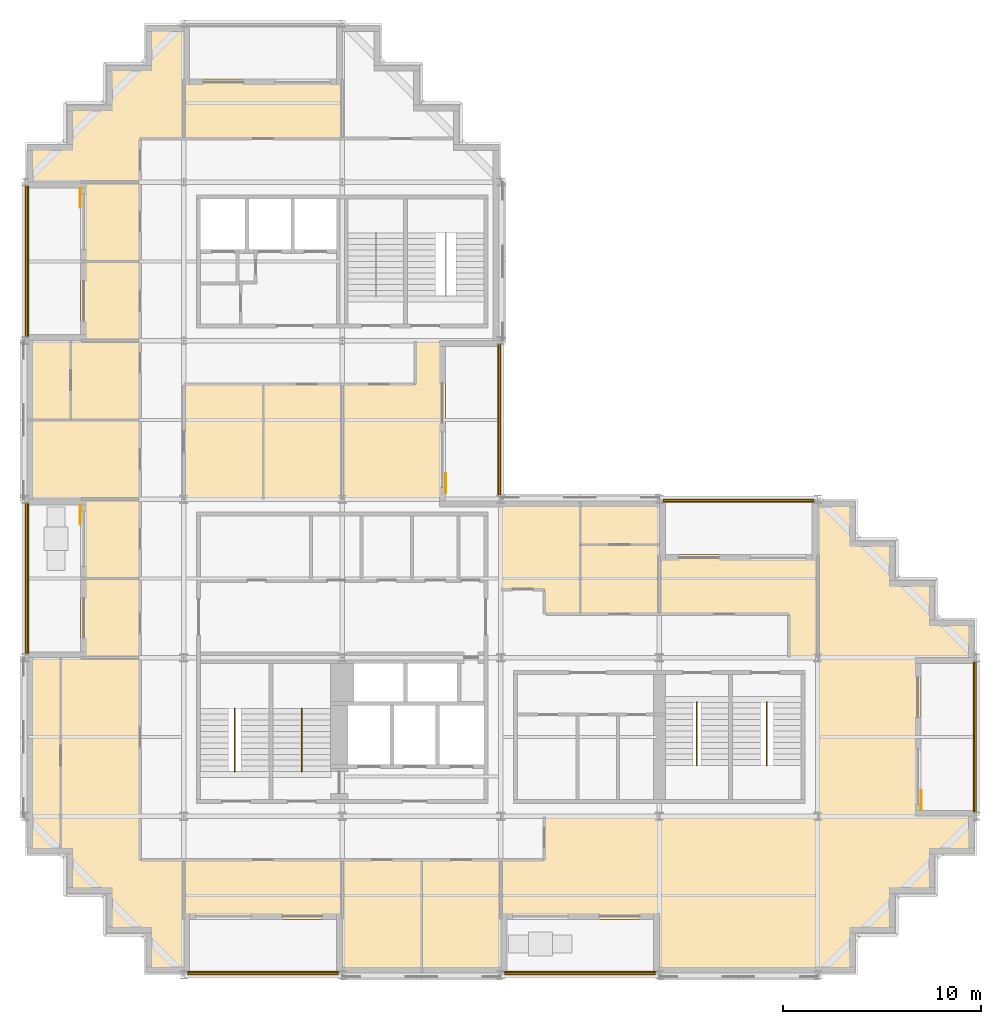
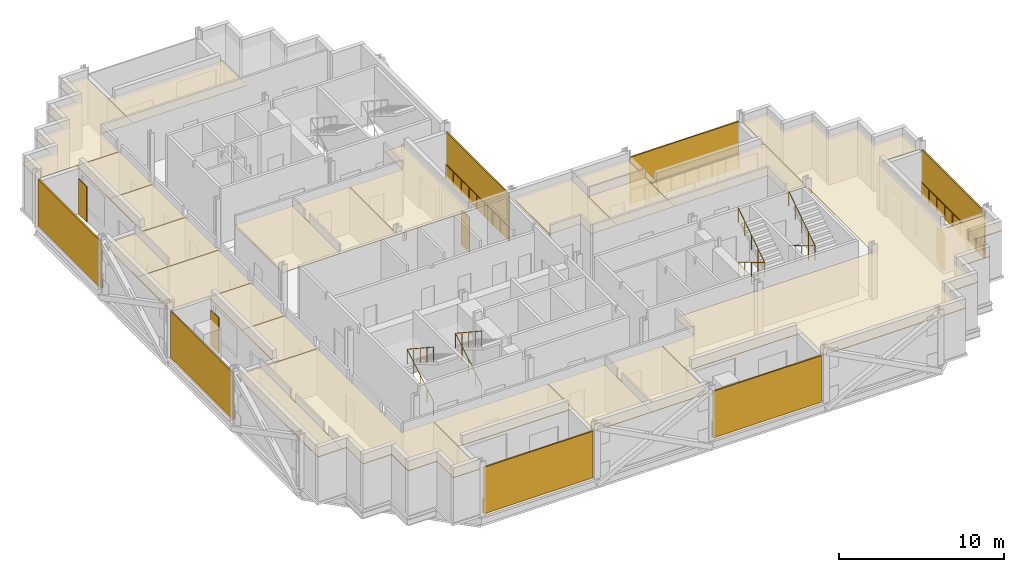
# One storey, part 11 of 13: 22 coverings, 11 railings, 11 shading devices.
"""IFC4 building model written with IfcOpenShell, lengths in metres."""

from ifc_helpers import new_model, si_unit, direction, frame, origin, origin_2d, place, context, subcontext, project, spatial, polyline, rectangle, circle, outline, extrude, material, layer, layer_set, type_object, element, save


model = new_model("IFC4")

# Units and contexts
model_context = context("Model", 3, precision=1e-05, world=origin(), true_north=direction((0.0, 1.0)))
body_context = subcontext(model_context, "Body", "Model", "MODEL_VIEW")
ifc_project = project(units=[si_unit("LENGTHUNIT", "METRE"), si_unit("AREAUNIT", "SQUARE_METRE"), si_unit("VOLUMEUNIT", "CUBIC_METRE"), si_unit("PLANEANGLEUNIT", "RADIAN"), si_unit("MASSUNIT", "GRAM", prefix="KILO")], contexts=[model_context])

# Site, building, storey
site_placement = place(None, origin())
site = spatial("IfcSite", under=ifc_project, at=site_placement, CompositionType="ELEMENT")
building_placement = place(site_placement, origin())
building = spatial("IfcBuilding", under=site, at=building_placement, Name="Immortelle Media Tower", CompositionType="ELEMENT")
storey_placement = place(building_placement, frame((0.0, 0.0, 170.39990234375)))
storey = spatial("IfcBuildingStorey", under=building, at=storey_placement, Name="L35", CompositionType="ELEMENT", Elevation=170.39990234375)

# Railings
ifc_material_1 = material(Name="Powder-coated aluminium fretwork panel, laminated glass backing", Category="aluminium")
railing_type_1 = type_object("IfcRailingType", Name="Fretwork balustrade 1100", PredefinedType="BALUSTRADE", material=ifc_material_1)
railing_1_placement = place(storey_placement, frame((8.202880859375, 0.139892578125, 0.0)))
element("IfcRailing", 1, at=railing_1_placement, inside=storey, type_object=railing_type_1, Name="Fretwork balustrade L35 S0", PredefinedType="BALUSTRADE", context=body_context, shape_type="SweptSolid", body=[
    extrude(circle(Radius=0.02490234375, at=origin_2d()), frame((0.0, 0.0, 1.0751953125), z_axis=(1.0, 0.0, 0.0), x_axis=(0.0, 1.0, 0.0)), (0.0, 0.0, 1.0), 7.591552734375),
    extrude(circle(Radius=0.02001953125, at=origin_2d()), origin(), (0.0, 0.0, 1.0), 1.050048828125),
    extrude(circle(Radius=0.02001953125, at=origin_2d()), frame((0.948974609375, 0.0, 0.0)), (0.0, 0.0, 1.0), 1.050048828125),
    extrude(circle(Radius=0.02001953125, at=origin_2d()), frame((1.89794921875, 0.0, 0.0)), (0.0, 0.0, 1.0), 1.050048828125),
    extrude(circle(Radius=0.02001953125, at=origin_2d()), frame((2.846923828125, 0.0, 0.0)), (0.0, 0.0, 1.0), 1.050048828125),
    extrude(circle(Radius=0.02001953125, at=origin_2d()), frame((3.7958984375, 0.0, 0.0)), (0.0, 0.0, 1.0), 1.050048828125),
    extrude(circle(Radius=0.02001953125, at=origin_2d()), frame((4.74462890625, 0.0, 0.0)), (0.0, 0.0, 1.0), 1.050048828125),
    extrude(circle(Radius=0.02001953125, at=origin_2d()), frame((5.693603515625, 0.0, 0.0)), (0.0, 0.0, 1.0), 1.050048828125),
    extrude(circle(Radius=0.02001953125, at=origin_2d()), frame((6.642578125, 0.0, 0.0)), (0.0, 0.0, 1.0), 1.050048828125),
    extrude(circle(Radius=0.02001953125, at=origin_2d()), frame((7.591552734375, 0.0, 0.0)), (0.0, 0.0, 1.0), 1.050048828125),
])
railing_2_placement = place(storey_placement, frame((24.20556640625, 0.139892578125, 0.0)))
element("IfcRailing", 2, at=railing_2_placement, inside=storey, type_object=railing_type_1, Name="Fretwork balustrade L35 S2", PredefinedType="BALUSTRADE", context=body_context, shape_type="SweptSolid", body=[
    extrude(circle(Radius=0.02490234375, at=origin_2d()), frame((0.0, 0.0, 1.0751953125), z_axis=(1.0, 0.0, 0.0), x_axis=(0.0, 1.0, 0.0)), (0.0, 0.0, 1.0), 7.5888671875),
    extrude(circle(Radius=0.02001953125, at=origin_2d()), origin(), (0.0, 0.0, 1.0), 1.050048828125),
    extrude(circle(Radius=0.02001953125, at=origin_2d()), frame((0.94873046875, 0.0, 0.0)), (0.0, 0.0, 1.0), 1.050048828125),
    extrude(circle(Radius=0.02001953125, at=origin_2d()), frame((1.897216796875, 0.0, 0.0)), (0.0, 0.0, 1.0), 1.050048828125),
    extrude(circle(Radius=0.02001953125, at=origin_2d()), frame((2.845703125, 0.0, 0.0)), (0.0, 0.0, 1.0), 1.050048828125),
    extrude(circle(Radius=0.02001953125, at=origin_2d()), frame((3.79443359375, 0.0, 0.0)), (0.0, 0.0, 1.0), 1.050048828125),
    extrude(circle(Radius=0.02001953125, at=origin_2d()), frame((4.7431640625, 0.0, 0.0)), (0.0, 0.0, 1.0), 1.050048828125),
    extrude(circle(Radius=0.02001953125, at=origin_2d()), frame((5.691650390625, 0.0, 0.0)), (0.0, 0.0, 1.0), 1.050048828125),
    extrude(circle(Radius=0.02001953125, at=origin_2d()), frame((6.64013671875, 0.0, 0.0)), (0.0, 0.0, 1.0), 1.050048828125),
    extrude(circle(Radius=0.02001953125, at=origin_2d()), frame((7.5888671875, 0.0, 0.0)), (0.0, 0.0, 1.0), 1.050048828125),
])
railing_3_placement = place(storey_placement, frame((47.860107421875, 8.20849609375, 0.0)))
element("IfcRailing", 3, at=railing_3_placement, inside=storey, type_object=railing_type_1, Name="Fretwork balustrade L35 E0", PredefinedType="BALUSTRADE", context=body_context, shape_type="SweptSolid", body=[
    extrude(circle(Radius=0.02490234375, at=origin_2d()), frame((0.0, 0.0, 1.0751953125), z_axis=(0.0, 1.0, 0.0), x_axis=(-1.0, 0.0, 0.0)), (0.0, 0.0, 1.0), 7.5830078125),
    extrude(circle(Radius=0.02001953125, at=origin_2d()), origin(), (0.0, 0.0, 1.0), 1.050048828125),
    extrude(circle(Radius=0.02001953125, at=origin_2d()), frame((0.0, 0.94775390625, 0.0)), (0.0, 0.0, 1.0), 1.050048828125),
    extrude(circle(Radius=0.02001953125, at=origin_2d()), frame((0.0, 1.895751953125, 0.0)), (0.0, 0.0, 1.0), 1.050048828125),
    extrude(circle(Radius=0.02001953125, at=origin_2d()), frame((0.0, 2.84375, 0.0)), (0.0, 0.0, 1.0), 1.050048828125),
    extrude(circle(Radius=0.02001953125, at=origin_2d()), frame((0.0, 3.79150390625, 0.0)), (0.0, 0.0, 1.0), 1.050048828125),
    extrude(circle(Radius=0.02001953125, at=origin_2d()), frame((0.0, 4.7392578125, 0.0)), (0.0, 0.0, 1.0), 1.050048828125),
    extrude(circle(Radius=0.02001953125, at=origin_2d()), frame((0.0, 5.687255859375, 0.0)), (0.0, 0.0, 1.0), 1.050048828125),
    extrude(circle(Radius=0.02001953125, at=origin_2d()), frame((0.0, 6.63525390625, 0.0)), (0.0, 0.0, 1.0), 1.050048828125),
    extrude(circle(Radius=0.02001953125, at=origin_2d()), frame((0.0, 7.5830078125, 0.0)), (0.0, 0.0, 1.0), 1.050048828125),
])
railing_4_placement = place(storey_placement, frame((39.797119140625, 23.860107421875, 0.0)))
element("IfcRailing", 4, at=railing_4_placement, inside=storey, type_object=railing_type_1, Name="Fretwork balustrade L35 N0", PredefinedType="BALUSTRADE", context=body_context, shape_type="SweptSolid", body=[
    extrude(circle(Radius=0.02490234375, at=origin_2d()), frame((0.0, 0.0, 1.0751953125), z_axis=(-1.0, 0.0, 0.0), x_axis=(0.0, -1.0, 0.0)), (0.0, 0.0, 1.0), 7.591552734375),
    extrude(circle(Radius=0.02001953125, at=origin_2d()), origin(), (0.0, 0.0, 1.0), 1.050048828125),
    extrude(circle(Radius=0.02001953125, at=origin_2d()), frame((-0.948974609375, 0.0, 0.0)), (0.0, 0.0, 1.0), 1.050048828125),
    extrude(circle(Radius=0.02001953125, at=origin_2d()), frame((-1.89794921875, 0.0, 0.0)), (0.0, 0.0, 1.0), 1.050048828125),
    extrude(circle(Radius=0.02001953125, at=origin_2d()), frame((-2.846923828125, 0.0, 0.0)), (0.0, 0.0, 1.0), 1.050048828125),
    extrude(circle(Radius=0.02001953125, at=origin_2d()), frame((-3.7958984375, 0.0, 0.0)), (0.0, 0.0, 1.0), 1.050048828125),
    extrude(circle(Radius=0.02001953125, at=origin_2d()), frame((-4.74462890625, 0.0, 0.0)), (0.0, 0.0, 1.0), 1.050048828125),
    extrude(circle(Radius=0.02001953125, at=origin_2d()), frame((-5.693603515625, 0.0, 0.0)), (0.0, 0.0, 1.0), 1.050048828125),
    extrude(circle(Radius=0.02001953125, at=origin_2d()), frame((-6.642578125, 0.0, 0.0)), (0.0, 0.0, 1.0), 1.050048828125),
    extrude(circle(Radius=0.02001953125, at=origin_2d()), frame((-7.591552734375, 0.0, 0.0)), (0.0, 0.0, 1.0), 1.050048828125),
])
railing_5_placement = place(storey_placement, frame((23.860107421875, 24.217041015625, 0.0)))
element("IfcRailing", 5, at=railing_5_placement, inside=storey, type_object=railing_type_1, Name="Fretwork balustrade L35 E0", PredefinedType="BALUSTRADE", context=body_context, shape_type="SweptSolid", body=[
    extrude(circle(Radius=0.02490234375, at=origin_2d()), frame((0.0, 0.0, 1.0751953125), z_axis=(0.0, 1.0, 0.0), x_axis=(-1.0, 0.0, 0.0)), (0.0, 0.0, 1.0), 7.58984375),
    extrude(circle(Radius=0.02001953125, at=origin_2d()), origin(), (0.0, 0.0, 1.0), 1.050048828125),
    extrude(circle(Radius=0.02001953125, at=origin_2d()), frame((0.0, 0.94873046875, 0.0)), (0.0, 0.0, 1.0), 1.050048828125),
    extrude(circle(Radius=0.02001953125, at=origin_2d()), frame((0.0, 1.8974609375, 0.0)), (0.0, 0.0, 1.0), 1.050048828125),
    extrude(circle(Radius=0.02001953125, at=origin_2d()), frame((0.0, 2.84619140625, 0.0)), (0.0, 0.0, 1.0), 1.050048828125),
    extrude(circle(Radius=0.02001953125, at=origin_2d()), frame((0.0, 3.794921875, 0.0)), (0.0, 0.0, 1.0), 1.050048828125),
    extrude(circle(Radius=0.02001953125, at=origin_2d()), frame((0.0, 4.74365234375, 0.0)), (0.0, 0.0, 1.0), 1.050048828125),
    extrude(circle(Radius=0.02001953125, at=origin_2d()), frame((0.0, 5.6923828125, 0.0)), (0.0, 0.0, 1.0), 1.050048828125),
    extrude(circle(Radius=0.02001953125, at=origin_2d()), frame((0.0, 6.64111328125, 0.0)), (0.0, 0.0, 1.0), 1.050048828125),
    extrude(circle(Radius=0.02001953125, at=origin_2d()), frame((0.0, 7.58984375, 0.0)), (0.0, 0.0, 1.0), 1.050048828125),
])
railing_6_placement = place(storey_placement, frame((0.139892578125, 39.81591796875, 0.0)))
element("IfcRailing", 6, at=railing_6_placement, inside=storey, type_object=railing_type_1, Name="Fretwork balustrade L35 W0", PredefinedType="BALUSTRADE", context=body_context, shape_type="SweptSolid", body=[
    extrude(circle(Radius=0.02490234375, at=origin_2d()), frame((0.0, 0.0, 1.0751953125), z_axis=(0.0, -1.0, 0.0), x_axis=(1.0, 0.0, 0.0)), (0.0, 0.0, 1.0), 7.622802734375),
    extrude(circle(Radius=0.02001953125, at=origin_2d()), origin(), (0.0, 0.0, 1.0), 1.050048828125),
    extrude(circle(Radius=0.02001953125, at=origin_2d()), frame((0.0, -0.952880859375, 0.0)), (0.0, 0.0, 1.0), 1.050048828125),
    extrude(circle(Radius=0.02001953125, at=origin_2d()), frame((0.0, -1.90576171875, 0.0)), (0.0, 0.0, 1.0), 1.050048828125),
    extrude(circle(Radius=0.02001953125, at=origin_2d()), frame((0.0, -2.858642578125, 0.0)), (0.0, 0.0, 1.0), 1.050048828125),
    extrude(circle(Radius=0.02001953125, at=origin_2d()), frame((0.0, -3.8115234375, 0.0)), (0.0, 0.0, 1.0), 1.050048828125),
    extrude(circle(Radius=0.02001953125, at=origin_2d()), frame((0.0, -4.76416015625, 0.0)), (0.0, 0.0, 1.0), 1.050048828125),
    extrude(circle(Radius=0.02001953125, at=origin_2d()), frame((0.0, -5.717041015625, 0.0)), (0.0, 0.0, 1.0), 1.050048828125),
    extrude(circle(Radius=0.02001953125, at=origin_2d()), frame((0.0, -6.669921875, 0.0)), (0.0, 0.0, 1.0), 1.050048828125),
    extrude(circle(Radius=0.02001953125, at=origin_2d()), frame((0.0, -7.622802734375, 0.0)), (0.0, 0.0, 1.0), 1.050048828125),
])
railing_7_placement = place(storey_placement, frame((0.139892578125, 23.806884765625, 0.0)))
element("IfcRailing", 7, at=railing_7_placement, inside=storey, type_object=railing_type_1, Name="Fretwork balustrade L35 W2", PredefinedType="BALUSTRADE", context=body_context, shape_type="SweptSolid", body=[
    extrude(circle(Radius=0.02490234375, at=origin_2d()), frame((0.0, 0.0, 1.0751953125), z_axis=(0.0, -1.0, 0.0), x_axis=(1.0, 0.0, 0.0)), (0.0, 0.0, 1.0), 7.58984375),
    extrude(circle(Radius=0.02001953125, at=origin_2d()), origin(), (0.0, 0.0, 1.0), 1.050048828125),
    extrude(circle(Radius=0.02001953125, at=origin_2d()), frame((0.0, -0.94873046875, 0.0)), (0.0, 0.0, 1.0), 1.050048828125),
    extrude(circle(Radius=0.02001953125, at=origin_2d()), frame((0.0, -1.8974609375, 0.0)), (0.0, 0.0, 1.0), 1.050048828125),
    extrude(circle(Radius=0.02001953125, at=origin_2d()), frame((0.0, -2.84619140625, 0.0)), (0.0, 0.0, 1.0), 1.050048828125),
    extrude(circle(Radius=0.02001953125, at=origin_2d()), frame((0.0, -3.794921875, 0.0)), (0.0, 0.0, 1.0), 1.050048828125),
    extrude(circle(Radius=0.02001953125, at=origin_2d()), frame((0.0, -4.74365234375, 0.0)), (0.0, 0.0, 1.0), 1.050048828125),
    extrude(circle(Radius=0.02001953125, at=origin_2d()), frame((0.0, -5.6923828125, 0.0)), (0.0, 0.0, 1.0), 1.050048828125),
    extrude(circle(Radius=0.02001953125, at=origin_2d()), frame((0.0, -6.64111328125, 0.0)), (0.0, 0.0, 1.0), 1.050048828125),
    extrude(circle(Radius=0.02001953125, at=origin_2d()), frame((0.0, -7.58984375, 0.0)), (0.0, 0.0, 1.0), 1.050048828125),
])

# Shading devices
ifc_material_2 = material(Name="Pale aluminium louvre blades", Category="aluminium")
ifc_layer_1 = layer(ifc_material_2, 0.10009765625)
ifc_layer_set_1 = layer_set([ifc_layer_1], Name="Pale aluminium louvre blades")
shading_device_type_1 = type_object("IfcShadingDeviceType", Name="Jalousie screen 100", PredefinedType="JALOUSIE", material=ifc_layer_set_1)
shading_device_1_placement = place(storey_placement, frame((11.998779296875, 0.050048828125, 0.0), z_axis=(0.0, 0.0, 1.0), x_axis=(1.0, 0.0, 0.0)))
element("IfcShadingDevice", 8, at=shading_device_1_placement, inside=storey, type_object=shading_device_type_1, Name="Jalousie screen L35 S0", PredefinedType="JALOUSIE", context=body_context, shape_type="SweptSolid", body=[
    extrude(rectangle(XDim=7.591552734375, YDim=0.10009765625, at=origin_2d()), origin(), (0.0, 0.0, 1.0), 3.43798828125),
])
shading_device_2_placement = place(storey_placement, frame((28.0, 0.050048828125, 0.0), z_axis=(0.0, 0.0, 1.0), x_axis=(1.0, 0.0, 0.0)))
element("IfcShadingDevice", 9, at=shading_device_2_placement, inside=storey, type_object=shading_device_type_1, Name="Jalousie screen L35 S2", PredefinedType="JALOUSIE", context=body_context, shape_type="SweptSolid", body=[
    extrude(rectangle(XDim=7.589111328125, YDim=0.10009765625, at=origin_2d()), origin(), (0.0, 0.0, 1.0), 3.43798828125),
])
shading_device_3_placement = place(storey_placement, frame((47.949951171875, 12.0, 0.0), z_axis=(0.0, 0.0, 1.0), x_axis=(0.0, 1.0, 0.0)))
element("IfcShadingDevice", 10, at=shading_device_3_placement, inside=storey, type_object=shading_device_type_1, Name="Jalousie screen L35 E0", PredefinedType="JALOUSIE", context=body_context, shape_type="SweptSolid", body=[
    extrude(rectangle(XDim=7.5830078125, YDim=0.10009765625, at=origin_2d()), origin(), (0.0, 0.0, 1.0), 3.43798828125),
])
shading_device_4_placement = place(storey_placement, frame((36.001220703125, 23.949951171875, 0.0), z_axis=(0.0, 0.0, 1.0), x_axis=(-1.0, 0.0, 0.0)))
element("IfcShadingDevice", 11, at=shading_device_4_placement, inside=storey, type_object=shading_device_type_1, Name="Jalousie screen L35 N0", PredefinedType="JALOUSIE", context=body_context, shape_type="SweptSolid", body=[
    extrude(rectangle(XDim=7.591552734375, YDim=0.10009765625, at=origin_2d()), origin(), (0.0, 0.0, 1.0), 3.43798828125),
])
shading_device_5_placement = place(storey_placement, frame((23.949951171875, 28.011962890625, 0.0), z_axis=(0.0, 0.0, 1.0), x_axis=(0.0, 1.0, 0.0)))
element("IfcShadingDevice", 12, at=shading_device_5_placement, inside=storey, type_object=shading_device_type_1, Name="Jalousie screen L35 E0", PredefinedType="JALOUSIE", context=body_context, shape_type="SweptSolid", body=[
    extrude(rectangle(XDim=7.590087890625, YDim=0.10009765625, at=origin_2d()), origin(), (0.0, 0.0, 1.0), 3.43798828125),
])
shading_device_6_placement = place(storey_placement, frame((0.050048828125, 36.00439453125, 0.0), z_axis=(0.0, 0.0, 1.0), x_axis=(0.0, -1.0, 0.0)))
element("IfcShadingDevice", 13, at=shading_device_6_placement, inside=storey, type_object=shading_device_type_1, Name="Jalousie screen L35 W0", PredefinedType="JALOUSIE", context=body_context, shape_type="SweptSolid", body=[
    extrude(rectangle(XDim=7.623046875, YDim=0.10009765625, at=origin_2d()), origin(), (0.0, 0.0, 1.0), 3.43798828125),
])
shading_device_7_placement = place(storey_placement, frame((0.050048828125, 20.011962890625, 0.0), z_axis=(0.0, 0.0, 1.0), x_axis=(0.0, -1.0, 0.0)))
element("IfcShadingDevice", 14, at=shading_device_7_placement, inside=storey, type_object=shading_device_type_1, Name="Jalousie screen L35 W2", PredefinedType="JALOUSIE", context=body_context, shape_type="SweptSolid", body=[
    extrude(rectangle(XDim=7.590087890625, YDim=0.10009765625, at=origin_2d()), origin(), (0.0, 0.0, 1.0), 3.43798828125),
])
ifc_material_3 = material(Name="Pale aluminium louvre blades in a folding frame", Category="aluminium")
ifc_layer_2 = layer(ifc_material_3, 0.050048828125)
ifc_layer_set_2 = layer_set([ifc_layer_2], Name="Pale aluminium louvre blades in a folding frame")
shading_device_type_2 = type_object("IfcShadingDeviceType", Name="Louvred loggia shutter", PredefinedType="SHUTTER", material=ifc_layer_set_2)
for number, where, z_axis, x_axis, name in (
    (15, (45.22509765625, 8.800048828125, 0.0), (0.0, 0.0, 1.0), (0.0, 1.0, 0.0), "Loggia shutter L35 E0"),
    (16, (21.22509765625, 24.800048828125, 0.0), (0.0, 0.0, 1.0), (0.0, 1.0, 0.0), "Loggia shutter L35 E0"),
    (17, (2.77490234375, 39.199951171875, 0.0), (0.0, 0.0, 1.0), (0.0, -1.0, 0.0), "Loggia shutter L35 W0"),
    (18, (2.77490234375, 23.199951171875, 0.0), (0.0, 0.0, 1.0), (0.0, -1.0, 0.0), "Loggia shutter L35 W2"),
):
    element("IfcShadingDevice", number, at=place(storey_placement, frame(where, z_axis=z_axis, x_axis=x_axis)), inside=storey, type_object=shading_device_type_2, Name=name, PredefinedType="SHUTTER", context=body_context, shape_type="SweptSolid", body=[
        extrude(rectangle(XDim=1.0, YDim=0.050048828125, at=origin_2d()), origin(), (0.0, 0.0, 1.0), 2.60009765625),
    ])

# Railings
ifc_material_4 = material(Name="Stainless steel AISI 316", Category="steel")
railing_type_2 = type_object("IfcRailingType", Name="Stair guard 1100", PredefinedType="GUARDRAIL", material=ifc_material_4)
for number, where, name in (
    (19, (10.574951171875, 10.25, 0.175048828125), "Stair guard SW1"),
    (20, (13.949951171875, 10.25, 0.175048828125), "Stair guard SW2"),
):
    element("IfcRailing", number, at=place(storey_placement, frame(where)), inside=storey, type_object=railing_type_2, Name=name, PredefinedType="GUARDRAIL", context=body_context, shape_type="SweptSolid", body=[
        extrude(circle(Radius=0.02392578125, at=origin_2d()), frame((0.0, 0.0, 1.076171875), z_axis=(0.0, 0.856177665481, 0.516681531633), x_axis=(-1.0, 0.0, 0.0)), (0.0, 0.0, 1.0), 3.725830078125),
        extrude(circle(Radius=0.02392578125, at=origin_2d()), frame((0.0, 3.18994140625, 3.0009765625), z_axis=(0.0, -0.835242474824, 0.549881812983), x_axis=(1.0, 0.0, 0.0)), (0.0, 0.0, 1.0), 3.819091796875),
        extrude(circle(Radius=0.02099609375, at=origin_2d()), origin(), (0.0, 0.0, 1.0), 1.052001953125),
        extrude(circle(Radius=0.02099609375, at=origin_2d()), frame((0.0, 0.79736328125, 0.481201171875)), (0.0, 0.0, 1.0), 1.052001953125),
        extrude(circle(Radius=0.02099609375, at=origin_2d()), frame((0.0, 1.594970703125, 0.96240234375)), (0.0, 0.0, 1.0), 1.052001953125),
        extrude(circle(Radius=0.02099609375, at=origin_2d()), frame((0.0, 2.392578125, 1.44384765625)), (0.0, 0.0, 1.0), 1.052001953125),
        extrude(circle(Radius=0.02099609375, at=origin_2d()), frame((0.0, 3.18994140625, 1.925048828125)), (0.0, 0.0, 1.0), 1.052001953125),
        extrude(circle(Radius=0.02099609375, at=origin_2d()), frame((0.0, 2.392578125, 2.4501953125)), (0.0, 0.0, 1.0), 1.052001953125),
        extrude(circle(Radius=0.02099609375, at=origin_2d()), frame((0.0, 1.594970703125, 2.97509765625)), (0.0, 0.0, 1.0), 1.052001953125),
        extrude(circle(Radius=0.02099609375, at=origin_2d()), frame((0.0, 0.79736328125, 3.5)), (0.0, 0.0, 1.0), 1.052001953125),
        extrude(circle(Radius=0.02099609375, at=origin_2d()), frame((0.0, 0.0, 4.025146484375)), (0.0, 0.0, 1.0), 1.052001953125),
    ])
for number, where, name in (
    (21, (33.89990234375, 13.75, 0.175048828125), "Stair guard SE1"),
    (22, (37.425048828125, 13.75, 0.175048828125), "Stair guard SE2"),
):
    element("IfcRailing", number, at=place(storey_placement, frame(where)), inside=storey, type_object=railing_type_2, Name=name, PredefinedType="GUARDRAIL", context=body_context, shape_type="SweptSolid", body=[
        extrude(circle(Radius=0.02392578125, at=origin_2d()), frame((0.0, 0.0, 1.076171875), z_axis=(0.0, -0.856177665481, 0.516681531633), x_axis=(1.0, 0.0, 0.0)), (0.0, 0.0, 1.0), 3.725830078125),
        extrude(circle(Radius=0.02392578125, at=origin_2d()), frame((0.0, -3.18994140625, 3.0009765625), z_axis=(0.0, 0.835242474824, 0.549881812983), x_axis=(-1.0, 0.0, 0.0)), (0.0, 0.0, 1.0), 3.819091796875),
        extrude(circle(Radius=0.02099609375, at=origin_2d()), origin(), (0.0, 0.0, 1.0), 1.052001953125),
        extrude(circle(Radius=0.02099609375, at=origin_2d()), frame((0.0, -0.79736328125, 0.481201171875)), (0.0, 0.0, 1.0), 1.052001953125),
        extrude(circle(Radius=0.02099609375, at=origin_2d()), frame((0.0, -1.594970703125, 0.96240234375)), (0.0, 0.0, 1.0), 1.052001953125),
        extrude(circle(Radius=0.02099609375, at=origin_2d()), frame((0.0, -2.392578125, 1.44384765625)), (0.0, 0.0, 1.0), 1.052001953125),
        extrude(circle(Radius=0.02099609375, at=origin_2d()), frame((0.0, -3.18994140625, 1.925048828125)), (0.0, 0.0, 1.0), 1.052001953125),
        extrude(circle(Radius=0.02099609375, at=origin_2d()), frame((0.0, -2.392578125, 2.4501953125)), (0.0, 0.0, 1.0), 1.052001953125),
        extrude(circle(Radius=0.02099609375, at=origin_2d()), frame((0.0, -1.594970703125, 2.97509765625)), (0.0, 0.0, 1.0), 1.052001953125),
        extrude(circle(Radius=0.02099609375, at=origin_2d()), frame((0.0, -0.79736328125, 3.5)), (0.0, 0.0, 1.0), 1.052001953125),
        extrude(circle(Radius=0.02099609375, at=origin_2d()), frame((0.0, 0.0, 4.025146484375)), (0.0, 0.0, 1.0), 1.052001953125),
    ])

# Coverings
ifc_material_5 = material(Name="Mineral fibre tile ceiling")
ifc_layer_3 = layer(ifc_material_5, 0.050048828125)
ifc_layer_set_3 = layer_set([ifc_layer_3], Name="Mineral fibre tile ceiling")
covering_type = type_object("IfcCoveringType", Name="Suspended ceiling 50", PredefinedType="CEILING", material=ifc_layer_set_3)
covering_1_placement = place(storey_placement, frame((0.0, 0.0, 3.30419921875)))
element("IfcCovering", 23, at=covering_1_placement, inside=storey, type_object=covering_type, Name="Ceiling L35-001", PredefinedType="CEILING", context=body_context, shape_type="SweptSolid", body=[
    extrude(outline(polyline([(16.0, 2.800048828125), (16.0, 5.800048828125), (20.0, 5.800048828125), (20.0, 0.10009765625), (16.0, 0.10009765625), (16.0, 2.800048828125)])), origin(), (0.0, 0.0, 1.0), 0.0498046875),
])
covering_2_placement = place(storey_placement, frame((0.0, 0.0, 3.30419921875)))
element("IfcCovering", 24, at=covering_2_placement, inside=storey, type_object=covering_type, Name="Ceiling L35-002", PredefinedType="CEILING", context=body_context, shape_type="SweptSolid", body=[
    extrude(outline(polyline([(24.0, 5.800048828125), (24.0, 2.800048828125), (24.0, 0.10009765625), (20.0, 0.10009765625), (20.0, 5.800048828125), (24.0, 5.800048828125)])), origin(), (0.0, 0.0, 1.0), 0.0498046875),
])
covering_3_placement = place(storey_placement, frame((0.0, 0.0, 3.30419921875)))
element("IfcCovering", 25, at=covering_3_placement, inside=storey, type_object=covering_type, Name="Ceiling L35-003", PredefinedType="CEILING", context=body_context, shape_type="SweptSolid", body=[
    extrude(outline(polyline([(8.0, 2.800048828125), (8.0, 5.800048828125), (16.0, 5.800048828125), (16.0, 2.800048828125), (8.0, 2.800048828125)])), origin(), (0.0, 0.0, 1.0), 0.0498046875),
])
covering_4_placement = place(storey_placement, frame((0.0, 0.0, 3.30419921875)))
element("IfcCovering", 26, at=covering_4_placement, inside=storey, type_object=covering_type, Name="Ceiling L35-004", PredefinedType="CEILING", context=body_context, shape_type="SweptSolid", body=[
    extrude(outline(polyline([(26.199951171875, 5.800048828125), (26.199951171875, 8.0), (32.0, 8.0), (40.0, 8.0), (40.0, 16.0), (40.0, 21.199951171875), (40.0, 23.89990234375), (41.89990234375, 23.89990234375), (41.89990234375, 21.89990234375), (43.89990234375, 21.89990234375), (43.89990234375, 19.89990234375), (45.89990234375, 19.89990234375), (45.89990234375, 17.89990234375), (47.89990234375, 17.89990234375), (47.89990234375, 16.0), (45.199951171875, 16.0), (45.199951171875, 8.0), (47.89990234375, 8.0), (47.89990234375, 6.10009765625), (45.89990234375, 6.10009765625), (45.89990234375, 4.10009765625), (43.89990234375, 4.10009765625), (43.89990234375, 2.10009765625), (41.89990234375, 2.10009765625), (41.89990234375, 0.10009765625), (40.0, 0.10009765625), (32.0, 0.10009765625), (32.0, 2.800048828125), (24.0, 2.800048828125), (24.0, 5.800048828125), (26.199951171875, 5.800048828125)])), origin(), (0.0, 0.0, 1.0), 0.0498046875),
])
covering_5_placement = place(storey_placement, frame((0.0, 0.0, 3.30419921875)))
element("IfcCovering", 27, at=covering_5_placement, inside=storey, type_object=covering_type, Name="Ceiling L35-005", PredefinedType="CEILING", context=body_context, shape_type="SweptSolid", body=[
    extrude(outline(polyline([(4.10009765625, 4.10009765625), (2.10009765625, 4.10009765625), (2.10009765625, 6.10009765625), (1.800048828125, 6.10009765625), (1.800048828125, 16.0), (2.800048828125, 16.0), (5.800048828125, 16.0), (5.800048828125, 8.0), (5.800048828125, 5.800048828125), (8.0, 5.800048828125), (8.0, 4.0), (8.0, 2.800048828125), (8.0, 0.10009765625), (6.10009765625, 0.10009765625), (6.10009765625, 2.10009765625), (4.10009765625, 2.10009765625), (4.10009765625, 4.0), (4.10009765625, 4.10009765625)])), origin(), (0.0, 0.0, 1.0), 0.0498046875),
])
covering_6_placement = place(storey_placement, frame((0.0, 0.0, 3.30419921875)))
element("IfcCovering", 28, at=covering_6_placement, inside=storey, type_object=covering_type, Name="Ceiling L35-006", PredefinedType="CEILING", context=body_context, shape_type="SweptSolid", body=[
    extrude(outline(polyline([(0.10009765625, 6.10009765625), (0.10009765625, 8.0), (0.10009765625, 16.0), (1.800048828125, 16.0), (1.800048828125, 6.10009765625), (0.10009765625, 6.10009765625)])), origin(), (0.0, 0.0, 1.0), 0.0498046875),
])
covering_7_placement = place(storey_placement, frame((0.0, 0.0, 3.30419921875)))
element("IfcCovering", 29, at=covering_7_placement, inside=storey, type_object=covering_type, Name="Ceiling L35-007", PredefinedType="CEILING", context=body_context, shape_type="SweptSolid", body=[
    extrude(outline(polyline([(38.550048828125, 16.0), (38.550048828125, 18.199951171875), (32.0, 18.199951171875), (32.0, 21.199951171875), (40.0, 21.199951171875), (40.0, 16.0), (38.550048828125, 16.0)])), origin(), (0.0, 0.0, 1.0), 0.0498046875),
])
covering_8_placement = place(storey_placement, frame((0.0, 0.0, 3.30419921875)))
element("IfcCovering", 30, at=covering_8_placement, inside=storey, type_object=covering_type, Name="Ceiling L35-008", PredefinedType="CEILING", context=body_context, shape_type="SweptSolid", body=[
    extrude(outline(polyline([(5.800048828125, 16.0), (2.800048828125, 16.0), (2.800048828125, 20.0), (5.800048828125, 20.0), (5.800048828125, 19.449951171875), (5.800048828125, 16.0)])), origin(), (0.0, 0.0, 1.0), 0.0498046875),
])
covering_9_placement = place(storey_placement, frame((0.0, 0.0, 3.30419921875)))
element("IfcCovering", 31, at=covering_9_placement, inside=storey, type_object=covering_type, Name="Ceiling L35-009", PredefinedType="CEILING", context=body_context, shape_type="SweptSolid", body=[
    extrude(outline(polyline([(2.800048828125, 24.0), (5.800048828125, 24.0), (5.800048828125, 20.0), (2.800048828125, 20.0), (2.800048828125, 24.0)])), origin(), (0.0, 0.0, 1.0), 0.0498046875),
])
covering_10_placement = place(storey_placement, frame((0.0, 0.0, 3.30419921875)))
element("IfcCovering", 32, at=covering_10_placement, inside=storey, type_object=covering_type, Name="Ceiling L35-010", PredefinedType="CEILING", context=body_context, shape_type="SweptSolid", body=[
    extrude(outline(polyline([(26.199951171875, 18.199951171875), (26.199951171875, 19.449951171875), (24.0, 19.449951171875), (24.0, 23.89990234375), (28.0, 23.89990234375), (28.0, 18.199951171875), (27.0, 18.199951171875), (26.199951171875, 18.199951171875)])), origin(), (0.0, 0.0, 1.0), 0.0498046875),
])
covering_11_placement = place(storey_placement, frame((0.0, 0.0, 3.30419921875)))
element("IfcCovering", 33, at=covering_11_placement, inside=storey, type_object=covering_type, Name="Ceiling L35-011", PredefinedType="CEILING", context=body_context, shape_type="SweptSolid", body=[
    extrude(outline(polyline([(32.0, 21.199951171875), (32.0, 18.199951171875), (28.0, 18.199951171875), (28.0, 21.699951171875), (32.0, 21.699951171875), (32.0, 21.199951171875)])), origin(), (0.0, 0.0, 1.0), 0.0498046875),
])
covering_12_placement = place(storey_placement, frame((0.0, 0.0, 3.30419921875)))
element("IfcCovering", 34, at=covering_12_placement, inside=storey, type_object=covering_type, Name="Ceiling L35-012", PredefinedType="CEILING", context=body_context, shape_type="SweptSolid", body=[
    extrude(outline(polyline([(32.0, 21.699951171875), (28.0, 21.699951171875), (28.0, 23.89990234375), (32.0, 23.89990234375), (32.0, 21.699951171875)])), origin(), (0.0, 0.0, 1.0), 0.0498046875),
])
covering_13_placement = place(storey_placement, frame((0.0, 0.0, 3.30419921875)))
element("IfcCovering", 35, at=covering_13_placement, inside=storey, type_object=covering_type, Name="Ceiling L35-013", PredefinedType="CEILING", context=body_context, shape_type="SweptSolid", body=[
    extrude(outline(polyline([(8.0, 29.800048828125), (12.0, 29.800048828125), (12.0, 24.0), (8.0, 24.0), (8.0, 29.800048828125)])), origin(), (0.0, 0.0, 1.0), 0.0498046875),
])
covering_14_placement = place(storey_placement, frame((0.0, 0.0, 3.30419921875)))
element("IfcCovering", 36, at=covering_14_placement, inside=storey, type_object=covering_type, Name="Ceiling L35-014", PredefinedType="CEILING", context=body_context, shape_type="SweptSolid", body=[
    extrude(outline(polyline([(12.199951171875, 29.800048828125), (12.39990234375, 29.800048828125), (16.0, 29.800048828125), (16.0, 24.0), (12.0, 24.0), (12.0, 29.800048828125), (12.199951171875, 29.800048828125)])), origin(), (0.0, 0.0, 1.0), 0.0498046875),
])
covering_15_placement = place(storey_placement, frame((0.0, 0.0, 3.30419921875)))
element("IfcCovering", 37, at=covering_15_placement, inside=storey, type_object=covering_type, Name="Ceiling L35-015", PredefinedType="CEILING", context=body_context, shape_type="SweptSolid", body=[
    extrude(outline(polyline([(16.0, 24.0), (16.0, 29.800048828125), (19.699951171875, 29.800048828125), (19.699951171875, 32.0), (21.199951171875, 32.0), (21.199951171875, 24.0), (16.0, 24.0)])), origin(), (0.0, 0.0, 1.0), 0.0498046875),
])
covering_16_placement = place(storey_placement, frame((0.0, 0.0, 3.30419921875)))
element("IfcCovering", 38, at=covering_16_placement, inside=storey, type_object=covering_type, Name="Ceiling L35-016", PredefinedType="CEILING", context=body_context, shape_type="SweptSolid", body=[
    extrude(outline(polyline([(5.800048828125, 24.0), (2.800048828125, 24.0), (0.10009765625, 24.0), (0.10009765625, 28.0), (5.800048828125, 28.0), (5.800048828125, 24.0)])), origin(), (0.0, 0.0, 1.0), 0.0498046875),
])
covering_17_placement = place(storey_placement, frame((0.0, 0.0, 3.30419921875)))
element("IfcCovering", 39, at=covering_17_placement, inside=storey, type_object=covering_type, Name="Ceiling L35-017", PredefinedType="CEILING", context=body_context, shape_type="SweptSolid", body=[
    extrude(outline(polyline([(2.300048828125, 28.0), (2.300048828125, 32.0), (2.800048828125, 32.0), (5.800048828125, 32.0), (5.800048828125, 29.800048828125), (5.800048828125, 28.0), (2.300048828125, 28.0)])), origin(), (0.0, 0.0, 1.0), 0.0498046875),
])
covering_18_placement = place(storey_placement, frame((0.0, 0.0, 3.30419921875)))
element("IfcCovering", 40, at=covering_18_placement, inside=storey, type_object=covering_type, Name="Ceiling L35-018", PredefinedType="CEILING", context=body_context, shape_type="SweptSolid", body=[
    extrude(outline(polyline([(0.10009765625, 28.0), (0.10009765625, 32.0), (2.300048828125, 32.0), (2.300048828125, 28.0), (0.10009765625, 28.0)])), origin(), (0.0, 0.0, 1.0), 0.0498046875),
])
covering_19_placement = place(storey_placement, frame((0.0, 0.0, 3.30419921875)))
element("IfcCovering", 41, at=covering_19_placement, inside=storey, type_object=covering_type, Name="Ceiling L35-019", PredefinedType="CEILING", context=body_context, shape_type="SweptSolid", body=[
    extrude(outline(polyline([(5.800048828125, 32.0), (2.800048828125, 32.0), (2.800048828125, 36.0), (5.800048828125, 36.0), (5.800048828125, 32.0)])), origin(), (0.0, 0.0, 1.0), 0.0498046875),
])
covering_20_placement = place(storey_placement, frame((0.0, 0.0, 3.30419921875)))
element("IfcCovering", 42, at=covering_20_placement, inside=storey, type_object=covering_type, Name="Ceiling L35-020", PredefinedType="CEILING", context=body_context, shape_type="SweptSolid", body=[
    extrude(outline(polyline([(2.800048828125, 40.0), (5.800048828125, 40.0), (5.800048828125, 36.0), (2.800048828125, 36.0), (2.800048828125, 40.0)])), origin(), (0.0, 0.0, 1.0), 0.0498046875),
])
covering_21_placement = place(storey_placement, frame((0.0, 0.0, 3.30419921875)))
element("IfcCovering", 43, at=covering_21_placement, inside=storey, type_object=covering_type, Name="Ceiling L35-021", PredefinedType="CEILING", context=body_context, shape_type="SweptSolid", body=[
    extrude(outline(polyline([(2.800048828125, 40.0), (0.10009765625, 40.0), (0.10009765625, 41.89990234375), (2.10009765625, 41.89990234375), (2.10009765625, 43.89990234375), (4.10009765625, 43.89990234375), (4.10009765625, 44.0), (4.10009765625, 45.89990234375), (6.10009765625, 45.89990234375), (6.10009765625, 47.89990234375), (8.0, 47.89990234375), (8.0, 45.199951171875), (8.0, 44.0), (8.0, 42.199951171875), (5.800048828125, 42.199951171875), (5.800048828125, 40.0), (2.800048828125, 40.0)])), origin(), (0.0, 0.0, 1.0), 0.0498046875),
])
covering_22_placement = place(storey_placement, frame((0.0, 0.0, 3.30419921875)))
element("IfcCovering", 44, at=covering_22_placement, inside=storey, type_object=covering_type, Name="Ceiling L35-022", PredefinedType="CEILING", context=body_context, shape_type="SweptSolid", body=[
    extrude(outline(polyline([(8.0, 42.199951171875), (8.0, 45.199951171875), (16.0, 45.199951171875), (16.0, 42.199951171875), (8.0, 42.199951171875)])), origin(), (0.0, 0.0, 1.0), 0.0498046875),
])

save(model, "model.ifc")
